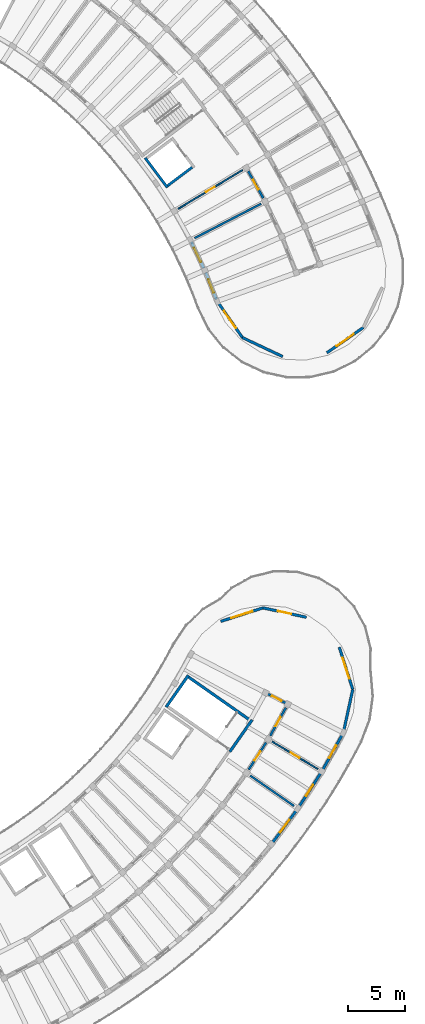
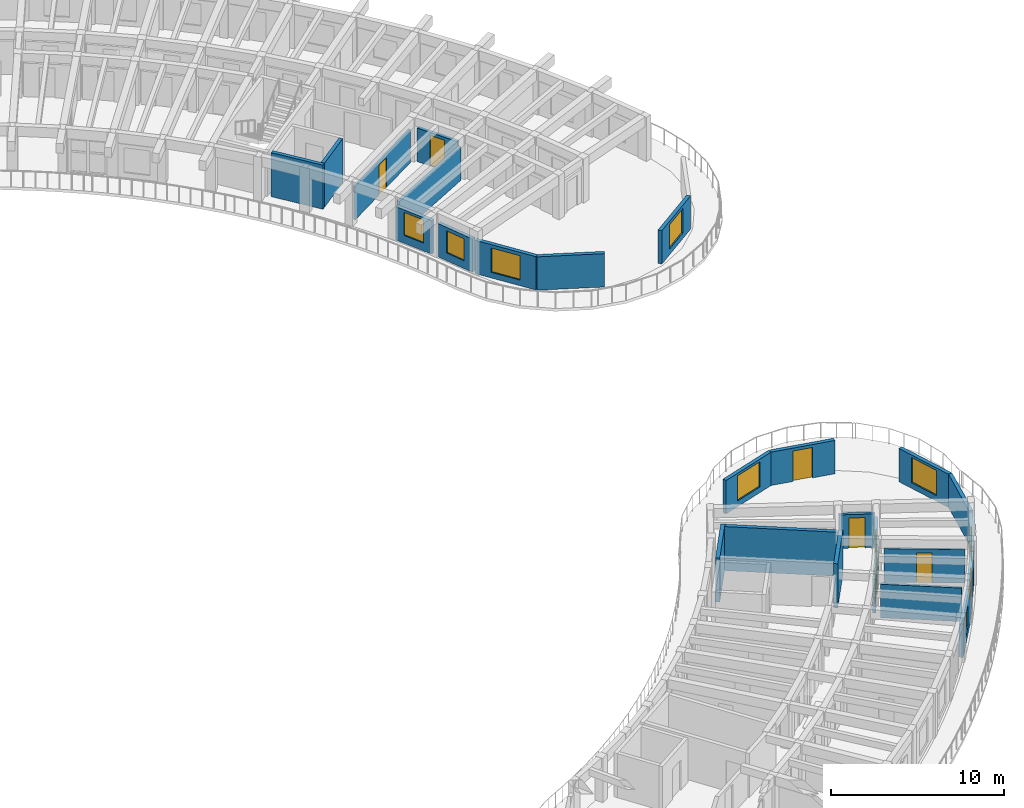
# One storey, part 33 of 56: 25 walls, 9 windows, 7 doors, 16 openings.
"""IFC4 building model written with IfcOpenShell, lengths in metres."""

from ifc_helpers import new_model, si_unit, direction, frame, frame_2d, origin, place, context, subcontext, project, spatial, rectangle, extrude, material, layer, layer_set, type_object, element, fill, save


model = new_model("IFC4")

# Units and contexts
model_context = context("Model", 3, precision=1e-05, world=origin(), true_north=direction((0.0, 1.0)))
body_context = subcontext(model_context, "Body", "Model", "MODEL_VIEW")
ifc_project = project(units=[si_unit("LENGTHUNIT", "METRE"), si_unit("AREAUNIT", "SQUARE_METRE"), si_unit("VOLUMEUNIT", "CUBIC_METRE"), si_unit("PLANEANGLEUNIT", "RADIAN"), si_unit("MASSUNIT", "GRAM", prefix="KILO")], contexts=[model_context])

# Site, building, storey
site_placement = place(None, origin())
site = spatial("IfcSite", under=ifc_project, at=site_placement, CompositionType="ELEMENT")
building_placement = place(site_placement, origin())
building = spatial("IfcBuilding", under=site, at=building_placement, Name="Tanwirah Colonnade Gardens", CompositionType="ELEMENT")
storey_placement = place(building_placement, frame((0.0, 0.0, 29.0)))
storey = spatial("IfcBuildingStorey", under=building, at=storey_placement, Name="L08", CompositionType="ELEMENT", Elevation=29.0)

# Wall, opening, window
ifc_material_1 = material(Name="Limestone architectural precast concrete C40/50", Category="masonry")
ifc_layer_1 = layer(ifc_material_1, 0.239990234375)
ifc_layer_set_1 = layer_set([ifc_layer_1], Name="Limestone architectural precast concrete C40/50")
wall_type_1 = type_object("IfcWallType", Name="EW-PC240", PredefinedType="SOLIDWALL", material=ifc_layer_set_1)
wall_1_placement = place(storey_placement, frame((162.76708984375, 75.39404296875, 0.0), z_axis=(0.0, 0.0, 1.0), x_axis=(-0.369190124901, 0.929353889364, 0.0)))
wall_1 = element("IfcWall", 1, at=wall_1_placement, inside=storey, type_object=wall_type_1, Name="Block B L08 IN Precast Facade Wall 1", PredefinedType="SOLIDWALL", context=body_context, shape_type="SweptSolid", body=[
    extrude(rectangle(XDim=2.54541015625, YDim=0.239990234375, at=frame_2d((1.272705078125, 0.0))), origin(), (0.0, 0.0, 1.0), 2.35498046875),
])
opening_1_placement = place(wall_1_placement, frame((0.632568359375, 0.0, 0.550048828125)))
opening_1 = element("IfcOpeningElement", 2, at=opening_1_placement, cuts=wall_1, Name="Opening WIN-U04", PredefinedType="OPENING", context=body_context, shape_type="SweptSolid", body=[
    extrude(rectangle(XDim=1.280029296875, YDim=1.56005859375, at=frame_2d((0.64013671875, 0.780029296875))), frame((0.0, 0.1298828125, 0.0), z_axis=(0.0, -1.0, 0.0), x_axis=(1.0, 0.0, 0.0)), (0.0, 0.0, 1.0), 0.260009765625),
])
ifc_material_2 = material(Name="Thermally broken bronze aluminium and solar low-E double glazing", Category="aluminium")
window_type_1 = type_object("IfcWindowType", Name="WIN-U04", PartitioningType="DOUBLE_PANEL_VERTICAL", PredefinedType="WINDOW", material=ifc_material_2)
window_1_placement = place(opening_1_placement, origin())
window_1 = element("IfcWindow", 3, at=window_1_placement, inside=storey, type_object=window_type_1, Name="Facade window B-L08-IN-01", OverallHeight=1.56005859375, OverallWidth=1.280029296875, PartitioningType="SINGLE_PANEL", PredefinedType="WINDOW", context=body_context, shape_type="SweptSolid", body=[
    extrude(rectangle(XDim=1.280029296875, YDim=1.56005859375, at=frame_2d((0.64013671875, 0.780029296875))), frame((0.0, 0.030029296875, 0.0), z_axis=(0.0, -1.0, 0.0), x_axis=(1.0, 0.0, 0.0)), (0.0, 0.0, 1.0), 0.06005859375),
])
fill(opening_1, window_1)

wall_2_placement = place(storey_placement, frame((161.651611328125, 78.16259765625, 0.0), z_axis=(0.0, 0.0, 1.0), x_axis=(-0.429631962494, 0.903004084599, 0.0)))
wall_2 = element("IfcWall", 4, at=wall_2_placement, inside=storey, type_object=wall_type_1, Name="Block B L08 IN Precast Facade Wall 2", PredefinedType="SOLIDWALL", context=body_context, shape_type="SweptSolid", body=[
    extrude(rectangle(XDim=2.545166015625, YDim=0.239990234375, at=frame_2d((1.2724609375, 0.0))), origin(), (0.0, 0.0, 1.0), 2.35498046875),
])
opening_2_placement = place(wall_2_placement, frame((0.572509765625, 0.0, 0.550048828125)))
opening_2 = element("IfcOpeningElement", 5, at=opening_2_placement, cuts=wall_2, Name="Opening WIN-U07", PredefinedType="OPENING", context=body_context, shape_type="SweptSolid", body=[
    extrude(rectangle(XDim=1.39990234375, YDim=1.635009765625, at=frame_2d((0.699951171875, 0.8173828125))), frame((0.0, 0.1298828125, 0.0), z_axis=(0.0, -1.0, 0.0), x_axis=(1.0, 0.0, 0.0)), (0.0, 0.0, 1.0), 0.260009765625),
])
window_type_2 = type_object("IfcWindowType", Name="WIN-U07", PartitioningType="DOUBLE_PANEL_VERTICAL", PredefinedType="WINDOW", material=ifc_material_2)
window_2_placement = place(opening_2_placement, origin())
window_2 = element("IfcWindow", 6, at=window_2_placement, inside=storey, type_object=window_type_2, Name="Facade window B-L08-IN-02", OverallHeight=1.635009765625, OverallWidth=1.39990234375, PartitioningType="SINGLE_PANEL", PredefinedType="WINDOW", context=body_context, shape_type="SweptSolid", body=[
    extrude(rectangle(XDim=1.39990234375, YDim=1.635009765625, at=frame_2d((0.699951171875, 0.8173828125))), frame((0.0, 0.030029296875, 0.0), z_axis=(0.0, -1.0, 0.0), x_axis=(1.0, 0.0, 0.0)), (0.0, 0.0, 1.0), 0.06005859375),
])
fill(opening_2, window_2)

wall_3_placement = place(storey_placement, frame((175.697509765625, 72.919921875, 0.0), z_axis=(0.0, 0.0, 1.0), x_axis=(-0.821377282135, -0.570385273646, 0.0)))
wall_3 = element("IfcWall", 7, at=wall_3_placement, inside=storey, type_object=wall_type_1, Name="Block B L08 START Rounded End Wall 2", PredefinedType="SOLIDWALL", context=body_context, shape_type="SweptSolid", body=[
    extrude(rectangle(XDim=3.908203125, YDim=0.239990234375, at=frame_2d((1.9541015625, 0.0))), origin(), (0.0, 0.0, 1.0), 2.35498046875),
])
opening_3_placement = place(wall_3_placement, frame((1.029052734375, 0.0, 0.39990234375)))
opening_3 = element("IfcOpeningElement", 8, at=opening_3_placement, cuts=wall_3, Name="Opening WIN-END1", PredefinedType="OPENING", context=body_context, shape_type="SweptSolid", body=[
    extrude(rectangle(XDim=1.85009765625, YDim=1.719970703125, at=frame_2d((0.925048828125, 0.85986328125))), frame((0.0, 0.1298828125, 0.0), z_axis=(0.0, -1.0, 0.0), x_axis=(1.0, 0.0, 0.0)), (0.0, 0.0, 1.0), 0.260009765625),
])
window_type_3 = type_object("IfcWindowType", Name="WIN-END1", PartitioningType="TRIPLE_PANEL_VERTICAL", PredefinedType="WINDOW", material=ifc_material_2)
window_3_placement = place(opening_3_placement, origin())
window_3 = element("IfcWindow", 9, at=window_3_placement, inside=storey, type_object=window_type_3, Name="Rounded corner window B-L08-START-2", OverallHeight=1.719970703125, OverallWidth=1.85009765625, PartitioningType="SINGLE_PANEL", PredefinedType="WINDOW", context=body_context, shape_type="SweptSolid", body=[
    extrude(rectangle(XDim=1.85009765625, YDim=1.719970703125, at=frame_2d((0.925048828125, 0.85986328125))), frame((0.0, 0.030029296875, 0.0), z_axis=(0.0, -1.0, 0.0), x_axis=(1.0, 0.0, 0.0)), (0.0, 0.0, 1.0), 0.06005859375),
])
fill(opening_3, window_3)

# Wall
wall_4_placement = place(storey_placement, frame((168.5927734375, 70.365234375, 0.0), z_axis=(0.0, 0.0, 1.0), x_axis=(-0.904675662712, 0.42610086282, 0.0)))
element("IfcWall", 10, at=wall_4_placement, inside=storey, type_object=wall_type_1, Name="Block B L08 START Rounded End Wall 4", PredefinedType="SOLIDWALL", context=body_context, shape_type="SweptSolid", body=[
    extrude(rectangle(XDim=3.908203125, YDim=0.239990234375, at=frame_2d((1.9541015625, 0.0))), origin(), (0.0, 0.0, 1.0), 2.35498046875),
])

# Wall, opening, window
wall_5_placement = place(storey_placement, frame((165.05712890625, 72.030517578125, 0.0), z_axis=(0.0, 0.0, 1.0), x_axis=(-0.570385273646, 0.821377282135, 0.0)))
wall_5 = element("IfcWall", 11, at=wall_5_placement, inside=storey, type_object=wall_type_1, Name="Block B L08 START Rounded End Wall 5", PredefinedType="SOLIDWALL", context=body_context, shape_type="SweptSolid", body=[
    extrude(rectangle(XDim=3.908203125, YDim=0.239990234375, at=frame_2d((1.9541015625, 0.0))), origin(), (0.0, 0.0, 1.0), 2.35498046875),
])
opening_4_placement = place(wall_5_placement, frame((1.029052734375, 0.0, 0.39990234375)))
opening_4 = element("IfcOpeningElement", 12, at=opening_4_placement, cuts=wall_5, Name="Opening WIN-END1", PredefinedType="OPENING", context=body_context, shape_type="SweptSolid", body=[
    extrude(rectangle(XDim=1.85009765625, YDim=1.719970703125, at=frame_2d((0.925048828125, 0.85986328125))), frame((0.0, 0.1298828125, 0.0), z_axis=(0.0, -1.0, 0.0), x_axis=(1.0, 0.0, 0.0)), (0.0, 0.0, 1.0), 0.260009765625),
])
window_4_placement = place(opening_4_placement, origin())
window_4 = element("IfcWindow", 13, at=window_4_placement, inside=storey, type_object=window_type_3, Name="Rounded corner window B-L08-START-5", OverallHeight=1.719970703125, OverallWidth=1.85009765625, PartitioningType="SINGLE_PANEL", PredefinedType="WINDOW", context=body_context, shape_type="SweptSolid", body=[
    extrude(rectangle(XDim=1.85009765625, YDim=1.719970703125, at=frame_2d((0.925048828125, 0.85986328125))), frame((0.0, 0.030029296875, 0.0), z_axis=(0.0, -1.0, 0.0), x_axis=(1.0, 0.0, 0.0)), (0.0, 0.0, 1.0), 0.06005859375),
])
fill(opening_4, window_4)

wall_6_placement = place(storey_placement, frame((167.738525390625, 27.60986328125, 0.0), z_axis=(0.0, 0.0, 1.0), x_axis=(0.596563667114, 0.802565754988, 0.0)))
wall_6 = element("IfcWall", 14, at=wall_6_placement, inside=storey, type_object=wall_type_1, Name="Block D L08 OUT Precast Facade Wall 10", PredefinedType="SOLIDWALL", context=body_context, shape_type="SweptSolid", body=[
    extrude(rectangle(XDim=3.5068359375, YDim=0.239990234375, at=frame_2d((1.75341796875, 0.0))), origin(), (0.0, 0.0, 1.0), 2.35498046875),
])
opening_5_placement = place(wall_6_placement, frame((1.0634765625, 0.0, 0.550048828125)))
opening_5 = element("IfcOpeningElement", 15, at=opening_5_placement, cuts=wall_6, Name="Opening WIN-T18", PredefinedType="OPENING", context=body_context, shape_type="SweptSolid", body=[
    extrude(rectangle(XDim=1.3798828125, YDim=1.56005859375, at=frame_2d((0.68994140625, 0.780029296875))), frame((0.0, 0.1298828125, 0.0), z_axis=(0.0, -1.0, 0.0), x_axis=(1.0, 0.0, 0.0)), (0.0, 0.0, 1.0), 0.260009765625),
])
window_type_4 = type_object("IfcWindowType", Name="WIN-T18", PartitioningType="DOUBLE_PANEL_VERTICAL", PredefinedType="WINDOW", material=ifc_material_2)
window_5_placement = place(opening_5_placement, origin())
window_5 = element("IfcWindow", 16, at=window_5_placement, inside=storey, type_object=window_type_4, Name="Facade window D-L08-OUT-10", OverallHeight=1.56005859375, OverallWidth=1.3798828125, PartitioningType="SINGLE_PANEL", PredefinedType="WINDOW", context=body_context, shape_type="SweptSolid", body=[
    extrude(rectangle(XDim=1.3798828125, YDim=1.56005859375, at=frame_2d((0.68994140625, 0.780029296875))), frame((0.0, 0.030029296875, 0.0), z_axis=(0.0, -1.0, 0.0), x_axis=(1.0, 0.0, 0.0)), (0.0, 0.0, 1.0), 0.06005859375),
])
fill(opening_5, window_5)

wall_7_placement = place(storey_placement, frame((170.0185546875, 30.6953125, 0.0), z_axis=(0.0, 0.0, 1.0), x_axis=(0.542803784415, 0.839859542796, 0.0)))
wall_7 = element("IfcWall", 17, at=wall_7_placement, inside=storey, type_object=wall_type_1, Name="Block D L08 OUT Precast Facade Wall 11", PredefinedType="SOLIDWALL", context=body_context, shape_type="SweptSolid", body=[
    extrude(rectangle(XDim=3.5068359375, YDim=0.239990234375, at=frame_2d((1.75341796875, 0.0))), origin(), (0.0, 0.0, 1.0), 2.35498046875),
])
opening_6_placement = place(wall_7_placement, frame((1.17333984375, 0.0, 0.550048828125)))
opening_6 = element("IfcOpeningElement", 18, at=opening_6_placement, cuts=wall_7, Name="Opening WIN-U01", PredefinedType="OPENING", context=body_context, shape_type="SweptSolid", body=[
    extrude(rectangle(XDim=1.159912109375, YDim=1.485107421875, at=frame_2d((0.580078125, 0.74267578125))), frame((0.0, 0.1298828125, 0.0), z_axis=(0.0, -1.0, 0.0), x_axis=(1.0, 0.0, 0.0)), (0.0, 0.0, 1.0), 0.260009765625),
])
window_type_5 = type_object("IfcWindowType", Name="WIN-U01", PartitioningType="DOUBLE_PANEL_VERTICAL", PredefinedType="WINDOW", material=ifc_material_2)
window_6_placement = place(opening_6_placement, origin())
window_6 = element("IfcWindow", 19, at=window_6_placement, inside=storey, type_object=window_type_5, Name="Facade window D-L08-OUT-11", OverallHeight=1.485107421875, OverallWidth=1.159912109375, PartitioningType="SINGLE_PANEL", PredefinedType="WINDOW", context=body_context, shape_type="SweptSolid", body=[
    extrude(rectangle(XDim=1.159912109375, YDim=1.485107421875, at=frame_2d((0.580078125, 0.74267578125))), frame((0.0, 0.030029296875, 0.0), z_axis=(0.0, -1.0, 0.0), x_axis=(1.0, 0.0, 0.0)), (0.0, 0.0, 1.0), 0.06005859375),
])
fill(opening_6, window_6)

wall_8_placement = place(storey_placement, frame((172.15380859375, 34.026123046875, 0.0), z_axis=(0.0, 0.0, 1.0), x_axis=(0.486730241133, 0.873552329495, 0.0)))
wall_8 = element("IfcWall", 20, at=wall_8_placement, inside=storey, type_object=wall_type_1, Name="Block D L08 OUT Precast Facade Wall 12", PredefinedType="SOLIDWALL", context=body_context, shape_type="SweptSolid", body=[
    extrude(rectangle(XDim=3.506591796875, YDim=0.239990234375, at=frame_2d((1.75341796875, 0.0))), origin(), (0.0, 0.0, 1.0), 2.35498046875),
])
opening_7_placement = place(wall_8_placement, frame((1.11328125, 0.0, 0.550048828125)))
opening_7 = element("IfcOpeningElement", 21, at=opening_7_placement, cuts=wall_8, Name="Opening WIN-U04", PredefinedType="OPENING", context=body_context, shape_type="SweptSolid", body=[
    extrude(rectangle(XDim=1.280029296875, YDim=1.56005859375, at=frame_2d((0.64013671875, 0.780029296875))), frame((0.0, 0.1298828125, 0.0), z_axis=(0.0, -1.0, 0.0), x_axis=(1.0, 0.0, 0.0)), (0.0, 0.0, 1.0), 0.260009765625),
])
window_7_placement = place(opening_7_placement, origin())
window_7 = element("IfcWindow", 22, at=window_7_placement, inside=storey, type_object=window_type_1, Name="Facade window D-L08-OUT-12", OverallHeight=1.56005859375, OverallWidth=1.280029296875, PartitioningType="SINGLE_PANEL", PredefinedType="WINDOW", context=body_context, shape_type="SweptSolid", body=[
    extrude(rectangle(XDim=1.280029296875, YDim=1.56005859375, at=frame_2d((0.64013671875, 0.780029296875))), frame((0.0, 0.030029296875, 0.0), z_axis=(0.0, -1.0, 0.0), x_axis=(1.0, 0.0, 0.0)), (0.0, 0.0, 1.0), 0.06005859375),
])
fill(opening_7, window_7)

wall_9_placement = place(storey_placement, frame((163.14453125, 47.040283203125, 0.0), z_axis=(0.0, 0.0, 1.0), x_axis=(0.952382795507, 0.304904920954, 0.0)))
wall_9 = element("IfcWall", 23, at=wall_9_placement, inside=storey, type_object=wall_type_1, Name="Block D L08 END Rounded End Wall 1", PredefinedType="SOLIDWALL", context=body_context, shape_type="SweptSolid", body=[
    extrude(rectangle(XDim=3.908203125, YDim=0.239990234375, at=frame_2d((1.9541015625, 0.0))), origin(), (0.0, 0.0, 1.0), 2.35498046875),
])
opening_8_placement = place(wall_9_placement, frame((0.97900390625, 0.0, 0.39990234375)))
opening_8 = element("IfcOpeningElement", 24, at=opening_8_placement, cuts=wall_9, Name="Opening WIN-END2", PredefinedType="OPENING", context=body_context, shape_type="SweptSolid", body=[
    extrude(rectangle(XDim=1.949951171875, YDim=1.780029296875, at=frame_2d((0.97509765625, 0.89013671875))), frame((0.0, 0.1298828125, 0.0), z_axis=(0.0, -1.0, 0.0), x_axis=(1.0, 0.0, 0.0)), (0.0, 0.0, 1.0), 0.260009765625),
])
window_type_6 = type_object("IfcWindowType", Name="WIN-END2", PartitioningType="TRIPLE_PANEL_VERTICAL", PredefinedType="WINDOW", material=ifc_material_2)
window_8_placement = place(opening_8_placement, origin())
window_8 = element("IfcWindow", 25, at=window_8_placement, inside=storey, type_object=window_type_6, Name="Rounded corner window D-L08-END-1", OverallHeight=1.780029296875, OverallWidth=1.949951171875, PartitioningType="SINGLE_PANEL", PredefinedType="WINDOW", context=body_context, shape_type="SweptSolid", body=[
    extrude(rectangle(XDim=1.949951171875, YDim=1.780029296875, at=frame_2d((0.97509765625, 0.89013671875))), frame((0.0, 0.030029296875, 0.0), z_axis=(0.0, -1.0, 0.0), x_axis=(1.0, 0.0, 0.0)), (0.0, 0.0, 1.0), 0.06005859375),
])
fill(opening_8, window_8)

# Wall, opening, door
wall_10_placement = place(storey_placement, frame((166.86669921875, 48.23193359375, 0.0), z_axis=(0.0, 0.0, 1.0), x_axis=(0.977223699832, -0.21221178216, 0.0)))
wall_10 = element("IfcWall", 26, at=wall_10_placement, inside=storey, type_object=wall_type_1, Name="Block D L08 END Rounded End Wall 2", PredefinedType="SOLIDWALL", context=body_context, shape_type="SweptSolid", body=[
    extrude(rectangle(XDim=3.908203125, YDim=0.239990234375, at=frame_2d((1.9541015625, 0.0))), origin(), (0.0, 0.0, 1.0), 2.35498046875),
])
opening_9_placement = place(wall_10_placement, frame((1.35400390625, 0.0, 0.0)))
opening_9 = element("IfcOpeningElement", 27, at=opening_9_placement, cuts=wall_10, Name="Opening L08-ED214", PredefinedType="OPENING", context=body_context, shape_type="SweptSolid", body=[
    extrude(rectangle(XDim=1.199951171875, YDim=2.14990234375, at=frame_2d((0.60009765625, 1.074951171875))), frame((0.0, 0.1298828125, 0.0), z_axis=(0.0, -1.0, 0.0), x_axis=(1.0, 0.0, 0.0)), (0.0, 0.0, 1.0), 0.260009765625),
])
ifc_material_3 = material(Name="Bronze aluminium glazed terrace door", Category="aluminium")
door_type_1 = type_object("IfcDoorType", Name="ED-TER120", OperationType="NOTDEFINED", PredefinedType="DOOR", material=ifc_material_3)
door_1_placement = place(opening_9_placement, origin())
door_1 = element("IfcDoor", 28, at=door_1_placement, inside=storey, type_object=door_type_1, Name="Stepped corner terrace door L08-ED214", OperationType="SINGLE_SWING_LEFT", OverallHeight=2.14990234375, OverallWidth=1.199951171875, PredefinedType="DOOR", context=body_context, shape_type="SweptSolid", body=[
    extrude(rectangle(XDim=1.199951171875, YDim=2.14990234375, at=frame_2d((0.60009765625, 1.074951171875))), frame((0.0, 0.02490234375, 0.0), z_axis=(0.0, -1.0, 0.0), x_axis=(1.0, 0.0, 0.0)), (0.0, 0.0, 1.0), 0.050048828125),
])
fill(opening_9, door_1)

# Wall, opening, window
wall_11_placement = place(storey_placement, frame((173.578857421875, 44.77490234375, 0.0), z_axis=(0.0, 0.0, 1.0), x_axis=(0.304848259057, -0.95240093393, 0.0)))
wall_11 = element("IfcWall", 29, at=wall_11_placement, inside=storey, type_object=wall_type_1, Name="Block D L08 END Rounded End Wall 4", PredefinedType="SOLIDWALL", context=body_context, shape_type="SweptSolid", body=[
    extrude(rectangle(XDim=3.908203125, YDim=0.239990234375, at=frame_2d((1.9541015625, 0.0))), origin(), (0.0, 0.0, 1.0), 2.35498046875),
])
opening_10_placement = place(wall_11_placement, frame((0.97900390625, 0.0, 0.39990234375)))
opening_10 = element("IfcOpeningElement", 30, at=opening_10_placement, cuts=wall_11, Name="Opening WIN-END2", PredefinedType="OPENING", context=body_context, shape_type="SweptSolid", body=[
    extrude(rectangle(XDim=1.949951171875, YDim=1.780029296875, at=frame_2d((0.97509765625, 0.89013671875))), frame((0.0, 0.1298828125, 0.0), z_axis=(0.0, -1.0, 0.0), x_axis=(1.0, 0.0, 0.0)), (0.0, 0.0, 1.0), 0.260009765625),
])
window_9_placement = place(opening_10_placement, origin())
window_9 = element("IfcWindow", 31, at=window_9_placement, inside=storey, type_object=window_type_6, Name="Rounded corner window D-L08-END-4", OverallHeight=1.780029296875, OverallWidth=1.949951171875, PartitioningType="SINGLE_PANEL", PredefinedType="WINDOW", context=body_context, shape_type="SweptSolid", body=[
    extrude(rectangle(XDim=1.949951171875, YDim=1.780029296875, at=frame_2d((0.97509765625, 0.89013671875))), frame((0.0, 0.030029296875, 0.0), z_axis=(0.0, -1.0, 0.0), x_axis=(1.0, 0.0, 0.0)), (0.0, 0.0, 1.0), 0.06005859375),
])
fill(opening_10, window_9)

# Wall
wall_12_placement = place(storey_placement, frame((174.770263671875, 41.052734375, 0.0), z_axis=(0.0, 0.0, 1.0), x_axis=(-0.21221178216, -0.977223699832, 0.0)))
element("IfcWall", 32, at=wall_12_placement, inside=storey, type_object=wall_type_1, Name="Block D L08 END Rounded End Wall 5", PredefinedType="SOLIDWALL", context=body_context, shape_type="SweptSolid", body=[
    extrude(rectangle(XDim=3.908203125, YDim=0.239990234375, at=frame_2d((1.9541015625, 0.0))), origin(), (0.0, 0.0, 1.0), 2.35498046875),
])

# Wall, opening, door
ifc_material_4 = material(Name="Precast concrete C40/50", Category="concrete")
ifc_layer_2 = layer(ifc_material_4, 0.195068359375)
ifc_layer_set_2 = layer_set([ifc_layer_2], Name="Precast concrete C40/50")
wall_type_2 = type_object("IfcWallType", Name="IW-CORR195", PredefinedType="PARTITIONING", material=ifc_layer_set_2)
wall_13_placement = place(storey_placement, frame((165.60009765625, 33.985595703125, 0.0), z_axis=(0.0, 0.0, 1.0), x_axis=(0.542787304957, 0.83987019329, 0.0)))
wall_13 = element("IfcWall", 33, at=wall_13_placement, inside=storey, type_object=wall_type_2, Name="Block D L08 OUT Corridor Wall 11", PredefinedType="PARTITIONING", context=body_context, shape_type="SweptSolid", body=[
    extrude(rectangle(XDim=2.8369140625, YDim=0.195068359375, at=frame_2d((1.41845703125, 0.0))), origin(), (0.0, 0.0, 1.0), 2.3701171875),
])
opening_11_placement = place(wall_13_placement, frame((0.943603515625, 0.0, 0.0)))
opening_11 = element("IfcOpeningElement", 34, at=opening_11_placement, cuts=wall_13, Name="Opening L08-AD1945", PredefinedType="OPENING", context=body_context, shape_type="SweptSolid", body=[
    extrude(rectangle(XDim=0.949951171875, YDim=2.1298828125, at=frame_2d((0.47509765625, 1.06494140625))), frame((0.0, 0.107421875, 0.0), z_axis=(0.0, -1.0, 0.0), x_axis=(1.0, 0.0, 0.0)), (0.0, 0.0, 1.0), 0.215087890625),
])
ifc_material_5 = material(Name="Solid oak fire-resisting apartment entrance door")
door_type_2 = type_object("IfcDoorType", Name="ID-FLT095", OperationType="NOTDEFINED", PredefinedType="DOOR", material=ifc_material_5)
door_2_placement = place(opening_11_placement, origin())
door_2 = element("IfcDoor", 35, at=door_2_placement, inside=storey, type_object=door_type_2, Name="Apartment corridor door L08-AD1945", OperationType="SINGLE_SWING_RIGHT", OverallHeight=2.1298828125, OverallWidth=0.949951171875, PredefinedType="DOOR", context=body_context, shape_type="SweptSolid", body=[
    extrude(rectangle(XDim=0.949951171875, YDim=2.1298828125, at=frame_2d((0.47509765625, 1.06494140625))), frame((0.0, 0.02490234375, 0.0), z_axis=(0.0, -1.0, 0.0), x_axis=(1.0, 0.0, 0.0)), (0.0, 0.0, 1.0), 0.050048828125),
])
fill(opening_11, door_2)

wall_14_placement = place(storey_placement, frame((167.500244140625, 36.968017578125, 0.0), z_axis=(0.0, 0.0, 1.0), x_axis=(0.48673124079, 0.8735517725, 0.0)))
wall_14 = element("IfcWall", 36, at=wall_14_placement, inside=storey, type_object=wall_type_2, Name="Block D L08 OUT Corridor Wall 12", PredefinedType="PARTITIONING", context=body_context, shape_type="SweptSolid", body=[
    extrude(rectangle(XDim=2.8369140625, YDim=0.195068359375, at=frame_2d((1.41845703125, 0.0))), origin(), (0.0, 0.0, 1.0), 2.3701171875),
])
opening_12_placement = place(wall_14_placement, frame((0.95361328125, 0.0, 0.0)))
opening_12 = element("IfcOpeningElement", 37, at=opening_12_placement, cuts=wall_14, Name="Opening L08-AD1947", PredefinedType="OPENING", context=body_context, shape_type="SweptSolid", body=[
    extrude(rectangle(XDim=0.929931640625, YDim=2.1201171875, at=frame_2d((0.46484375, 1.06005859375))), frame((0.0, 0.107421875, 0.0), z_axis=(0.0, -1.0, 0.0), x_axis=(1.0, 0.0, 0.0)), (0.0, 0.0, 1.0), 0.215087890625),
])
door_type_3 = type_object("IfcDoorType", Name="ID-FLT093", OperationType="NOTDEFINED", PredefinedType="DOOR", material=ifc_material_5)
door_3_placement = place(opening_12_placement, origin())
door_3 = element("IfcDoor", 38, at=door_3_placement, inside=storey, type_object=door_type_3, Name="Apartment corridor door L08-AD1947", OperationType="SINGLE_SWING_LEFT", OverallHeight=2.1201171875, OverallWidth=0.929931640625, PredefinedType="DOOR", context=body_context, shape_type="SweptSolid", body=[
    extrude(rectangle(XDim=0.929931640625, YDim=2.1201171875, at=frame_2d((0.46484375, 1.06005859375))), frame((0.0, 0.02490234375, 0.0), z_axis=(0.0, -1.0, 0.0), x_axis=(1.0, 0.0, 0.0)), (0.0, 0.0, 1.0), 0.050048828125),
])
fill(opening_12, door_3)

wall_15_placement = place(storey_placement, frame((167.139892578125, 40.736328125, 0.0), z_axis=(0.0, 0.0, 1.0), x_axis=(0.889039089533, -0.45783129784, 0.0)))
wall_15 = element("IfcWall", 39, at=wall_15_placement, inside=storey, type_object=wall_type_2, Name="Block D L08 CE Corner Suite Corridor Wall", PredefinedType="PARTITIONING", context=body_context, shape_type="SweptSolid", body=[
    extrude(rectangle(XDim=2.099853515625, YDim=0.195068359375, at=frame_2d((1.0498046875, 0.0))), origin(), (0.0, 0.0, 1.0), 2.3701171875),
])
opening_13_placement = place(wall_15_placement, frame((0.570068359375, 0.0, 0.0)))
opening_13 = element("IfcOpeningElement", 40, at=opening_13_placement, cuts=wall_15, Name="Opening L08-CD1949", PredefinedType="OPENING", context=body_context, shape_type="SweptSolid", body=[
    extrude(rectangle(XDim=0.949951171875, YDim=2.1298828125, at=frame_2d((0.47509765625, 1.06494140625))), frame((0.0, 0.107421875, 0.0), z_axis=(0.0, -1.0, 0.0), x_axis=(1.0, 0.0, 0.0)), (0.0, 0.0, 1.0), 0.215087890625),
])
door_4_placement = place(opening_13_placement, origin())
door_4 = element("IfcDoor", 41, at=door_4_placement, inside=storey, type_object=door_type_2, Name="Corner suite entrance door L08-CD1949", OperationType="SINGLE_SWING_RIGHT", OverallHeight=2.1298828125, OverallWidth=0.949951171875, PredefinedType="DOOR", context=body_context, shape_type="SweptSolid", body=[
    extrude(rectangle(XDim=0.949951171875, YDim=2.1298828125, at=frame_2d((0.47509765625, 1.06494140625))), frame((0.0, 0.02490234375, 0.0), z_axis=(0.0, -1.0, 0.0), x_axis=(1.0, 0.0, 0.0)), (0.0, 0.0, 1.0), 0.050048828125),
])
fill(opening_13, door_4)

ifc_layer_3 = layer(ifc_material_4, 0.205078125)
ifc_layer_set_3 = layer_set([ifc_layer_3], Name="Precast concrete C40/50")
wall_type_3 = type_object("IfcWallType", Name="IW-CORR205", PredefinedType="PARTITIONING", material=ifc_layer_set_3)
wall_16_placement = place(storey_placement, frame((166.89013671875, 84.313232421875, 0.0), z_axis=(0.0, 0.0, 1.0), x_axis=(-0.48819576874, 0.872734147025, 0.0)))
wall_16 = element("IfcWall", 42, at=wall_16_placement, inside=storey, type_object=wall_type_3, Name="Block B L08 IN Corridor Wall 3", PredefinedType="PARTITIONING", context=body_context, shape_type="SweptSolid", body=[
    extrude(rectangle(XDim=2.718017578125, YDim=0.205078125, at=frame_2d((1.35888671875, 0.0))), origin(), (0.0, 0.0, 1.0), 2.3701171875),
])
opening_14_placement = place(wall_16_placement, frame((0.864013671875, 0.0, 0.0)))
opening_14 = element("IfcOpeningElement", 43, at=opening_14_placement, cuts=wall_16, Name="Opening L08-AD1132", PredefinedType="OPENING", context=body_context, shape_type="SweptSolid", body=[
    extrude(rectangle(XDim=0.989990234375, YDim=2.159912109375, at=frame_2d((0.4951171875, 1.080078125))), frame((0.0, 0.112548828125, 0.0), z_axis=(0.0, -1.0, 0.0), x_axis=(1.0, 0.0, 0.0)), (0.0, 0.0, 1.0), 0.22509765625),
])
door_type_4 = type_object("IfcDoorType", Name="ID-FLT099", OperationType="NOTDEFINED", PredefinedType="DOOR", material=ifc_material_5)
door_5_placement = place(opening_14_placement, origin())
door_5 = element("IfcDoor", 44, at=door_5_placement, inside=storey, type_object=door_type_4, Name="Apartment corridor door L08-AD1132", OperationType="SINGLE_SWING_LEFT", OverallHeight=2.159912109375, OverallWidth=0.989990234375, PredefinedType="DOOR", context=body_context, shape_type="SweptSolid", body=[
    extrude(rectangle(XDim=0.989990234375, YDim=2.159912109375, at=frame_2d((0.4951171875, 1.080078125))), frame((0.0, 0.02490234375, 0.0), z_axis=(0.0, -1.0, 0.0), x_axis=(1.0, 0.0, 0.0)), (0.0, 0.0, 1.0), 0.050048828125),
])
fill(opening_14, door_5)

# Walls
ifc_layer_4 = layer(ifc_material_4, 0.175048828125)
ifc_layer_set_4 = layer_set([ifc_layer_4], Name="Precast concrete C40/50")
wall_type_4 = type_object("IfcWallType", Name="IW-DEM175", PredefinedType="PARTITIONING", material=ifc_layer_set_4)
wall_17_placement = place(storey_placement, frame((165.73876953125, 33.463623046875, 0.0), z_axis=(0.0, 0.0, 1.0), x_axis=(0.821638260647, -0.570009270663, 0.0)))
element("IfcWall", 45, at=wall_17_placement, inside=storey, type_object=wall_type_4, Name="Block D L08 Radial Partition 10", PredefinedType="PARTITIONING", context=body_context, shape_type="SweptSolid", body=[
    extrude(rectangle(XDim=4.699951171875, YDim=0.175048828125, at=frame_2d((2.35009765625, 0.0))), origin(), (0.0, 0.0, 1.0), 2.3701171875),
])
ifc_layer_5 = layer(ifc_material_4, 0.18505859375)
ifc_layer_set_5 = layer_set([ifc_layer_5], Name="Precast concrete C40/50")
wall_type_5 = type_object("IfcWallType", Name="IW-DEM185", PredefinedType="PARTITIONING", material=ifc_layer_set_5)
wall_18_placement = place(storey_placement, frame((160.842529296875, 80.793701171875, 0.0), z_axis=(0.0, 0.0, 1.0), x_axis=(0.888346696024, 0.459173330741, 0.0)))
element("IfcWall", 46, at=wall_18_placement, inside=storey, type_object=wall_type_5, Name="Block B L08 Inner Radial Partition 2", PredefinedType="PARTITIONING", context=body_context, shape_type="SweptSolid", body=[
    extrude(rectangle(XDim=6.599853515625, YDim=0.18505859375, at=frame_2d((3.2998046875, 0.0))), origin(), (0.0, 0.0, 1.0), 2.3701171875),
])

# Wall, opening, door
ifc_material_6 = material(Name="Moisture-resistant gypsum stud partition")
ifc_layer_6 = layer(ifc_material_6, 0.125)
ifc_layer_set_6 = layer_set([ifc_layer_6], Name="Moisture-resistant gypsum stud partition")
wall_type_6 = type_object("IfcWallType", Name="IW-INT125", PredefinedType="PARTITIONING", material=ifc_layer_set_6)
wall_19_placement = place(storey_placement, frame((159.399169921875, 83.3740234375, 0.0), z_axis=(0.0, 0.0, 1.0), x_axis=(0.85616819337, 0.516697227263, 0.0)))
wall_19 = element("IfcWall", 47, at=wall_19_placement, inside=storey, type_object=wall_type_6, Name="Block B L08 Inner Radial Partition 3", PredefinedType="PARTITIONING", context=body_context, shape_type="SweptSolid", body=[
    extrude(rectangle(XDim=6.599853515625, YDim=0.125, at=frame_2d((3.2998046875, 0.0))), origin(), (0.0, 0.0, 1.0), 2.3701171875),
])
opening_15_placement = place(wall_19_placement, frame((2.844970703125, 0.0, 0.0)))
opening_15 = element("IfcOpeningElement", 48, at=opening_15_placement, cuts=wall_19, Name="Opening L08-RD1134", PredefinedType="OPENING", context=body_context, shape_type="SweptSolid", body=[
    extrude(rectangle(XDim=0.909912109375, YDim=2.10009765625, at=frame_2d((0.455078125, 1.050048828125))), frame((0.0, 0.072509765625, 0.0), z_axis=(0.0, -1.0, 0.0), x_axis=(1.0, 0.0, 0.0)), (0.0, 0.0, 1.0), 0.14501953125),
])
ifc_material_7 = material(Name="Painted hardwood internal room door", Category="wood")
door_type_5 = type_object("IfcDoorType", Name="ID-RM091", OperationType="NOTDEFINED", PredefinedType="DOOR", material=ifc_material_7)
door_6_placement = place(opening_15_placement, origin())
door_6 = element("IfcDoor", 49, at=door_6_placement, inside=storey, type_object=door_type_5, Name="Internal apartment door L08-RD1134", OperationType="SINGLE_SWING_LEFT", OverallHeight=2.10009765625, OverallWidth=0.909912109375, PredefinedType="DOOR", context=body_context, shape_type="SweptSolid", body=[
    extrude(rectangle(XDim=0.909912109375, YDim=2.10009765625, at=frame_2d((0.455078125, 1.050048828125))), frame((0.0, 0.02490234375, 0.0), z_axis=(0.0, -1.0, 0.0), x_axis=(1.0, 0.0, 0.0)), (0.0, 0.0, 1.0), 0.050048828125),
])
fill(opening_15, door_6)

wall_20_placement = place(storey_placement, frame((167.6728515625, 36.456298828125, 0.0), z_axis=(0.0, 0.0, 1.0), x_axis=(0.857139805444, -0.515083831937, 0.0)))
wall_20 = element("IfcWall", 50, at=wall_20_placement, inside=storey, type_object=wall_type_6, Name="Block D L08 Radial Partition 11", PredefinedType="PARTITIONING", context=body_context, shape_type="SweptSolid", body=[
    extrude(rectangle(XDim=4.699951171875, YDim=0.125, at=frame_2d((2.35009765625, 0.0))), origin(), (0.0, 0.0, 1.0), 2.3701171875),
])
opening_16_placement = place(wall_20_placement, frame((1.905029296875, 0.0, 0.0)))
opening_16 = element("IfcOpeningElement", 51, at=opening_16_placement, cuts=wall_20, Name="Opening L08-RD1946", PredefinedType="OPENING", context=body_context, shape_type="SweptSolid", body=[
    extrude(rectangle(XDim=0.889892578125, YDim=2.10009765625, at=frame_2d((0.44482421875, 1.050048828125))), frame((0.0, 0.072509765625, 0.0), z_axis=(0.0, -1.0, 0.0), x_axis=(1.0, 0.0, 0.0)), (0.0, 0.0, 1.0), 0.14501953125),
])
ifc_material_8 = material(Name="Painted hardwood bedroom door", Category="wood")
door_type_6 = type_object("IfcDoorType", Name="ID-RM089", OperationType="NOTDEFINED", PredefinedType="DOOR", material=ifc_material_8)
door_7_placement = place(opening_16_placement, origin())
door_7 = element("IfcDoor", 52, at=door_7_placement, inside=storey, type_object=door_type_6, Name="Internal apartment door L08-RD1946", OperationType="SINGLE_SWING_RIGHT", OverallHeight=2.10009765625, OverallWidth=0.889892578125, PredefinedType="DOOR", context=body_context, shape_type="SweptSolid", body=[
    extrude(rectangle(XDim=0.889892578125, YDim=2.10009765625, at=frame_2d((0.44482421875, 1.050048828125))), frame((0.0, 0.02490234375, 0.0), z_axis=(0.0, -1.0, 0.0), x_axis=(1.0, 0.0, 0.0)), (0.0, 0.0, 1.0), 0.050048828125),
])
fill(opening_16, door_7)

# Walls
ifc_material_9 = material(Name="Concrete C45/55", Category="concrete")
ifc_layer_7 = layer(ifc_material_9, 0.25)
ifc_layer_set_7 = layer_set([ifc_layer_7], Name="Concrete C45/55")
wall_type_7 = type_object("IfcWallType", Name="SW-CORE250", PredefinedType="SHEAR", material=ifc_layer_set_7)
wall_21_placement = place(storey_placement, frame((165.732666015625, 38.335693359375, 0.0), z_axis=(0.0, 0.0, 1.0), x_axis=(-0.819153711596, 0.573574055182, 0.0)))
element("IfcWall", 53, at=wall_21_placement, inside=storey, type_object=wall_type_7, Name="CORE-D2 L08 Stair Shaft Shear Wall LEFT", PredefinedType="SHEAR", context=body_context, shape_type="SweptSolid", body=[
    extrude(rectangle(XDim=6.60009765625, YDim=0.25, at=frame_2d((3.300048828125, 0.0))), origin(), (0.0, 0.0, 1.0), 3.110107421875),
])
for number, where, z_axis, x_axis, name in (
    (54, (160.29541015625, 42.29541015625, 0.0), (0.0, 0.0, 1.0), (-0.573582112484, -0.819148069789, 0.0), "CORE-D2 L08 Stair Shaft Shear Wall FAR"),
    (55, (165.90673828125, 38.366455078125, 0.0), (0.0, 0.0, 1.0), (-0.573582112484, -0.819148069789, 0.0), "CORE-D2 L08 Stair Shaft Shear Wall NEAR"),
):
    element("IfcWall", number, at=place(storey_placement, frame(where, z_axis=z_axis, x_axis=x_axis)), inside=storey, type_object=wall_type_7, Name=name, PredefinedType="SHEAR", context=body_context, shape_type="SweptSolid", body=[
        extrude(rectangle(XDim=3.419921875, YDim=0.25, at=frame_2d((1.7099609375, 0.0))), origin(), (0.0, 0.0, 1.0), 3.110107421875),
    ])
ifc_layer_8 = layer(ifc_material_9, 0.22998046875)
ifc_layer_set_8 = layer_set([ifc_layer_8], Name="Concrete C45/55")
wall_type_8 = type_object("IfcWallType", Name="SW-LIFT230", PredefinedType="SHEAR", material=ifc_layer_set_8)
wall_22_placement = place(storey_placement, frame((156.4873046875, 87.855712890625, 0.0), z_axis=(0.0, 0.0, 1.0), x_axis=(0.601819781152, -0.798631924615, 0.0)))
element("IfcWall", 56, at=wall_22_placement, inside=storey, type_object=wall_type_8, Name="CORE-B1 L08 Lift Shaft Wall BACK", PredefinedType="SHEAR", context=body_context, shape_type="SweptSolid", body=[
    extrude(rectangle(XDim=3.260009765625, YDim=0.22998046875, at=frame_2d((1.6298828125, 0.0))), origin(), (0.0, 0.0, 1.0), 3.110107421875),
])
wall_23_placement = place(storey_placement, frame((160.628173828125, 87.0380859375, 0.0), z_axis=(0.0, 0.0, 1.0), x_axis=(-0.798608971494, -0.601850239387, 0.0)))
element("IfcWall", 57, at=wall_23_placement, inside=storey, type_object=wall_type_8, Name="CORE-B1 L08 Lift Shaft Wall SIDEB", PredefinedType="SHEAR", context=body_context, shape_type="SweptSolid", body=[
    extrude(rectangle(XDim=2.699951171875, YDim=0.22998046875, at=frame_2d((1.35009765625, 0.0))), origin(), (0.0, 0.0, 1.0), 3.110107421875),
])

save(model, "model.ifc")
